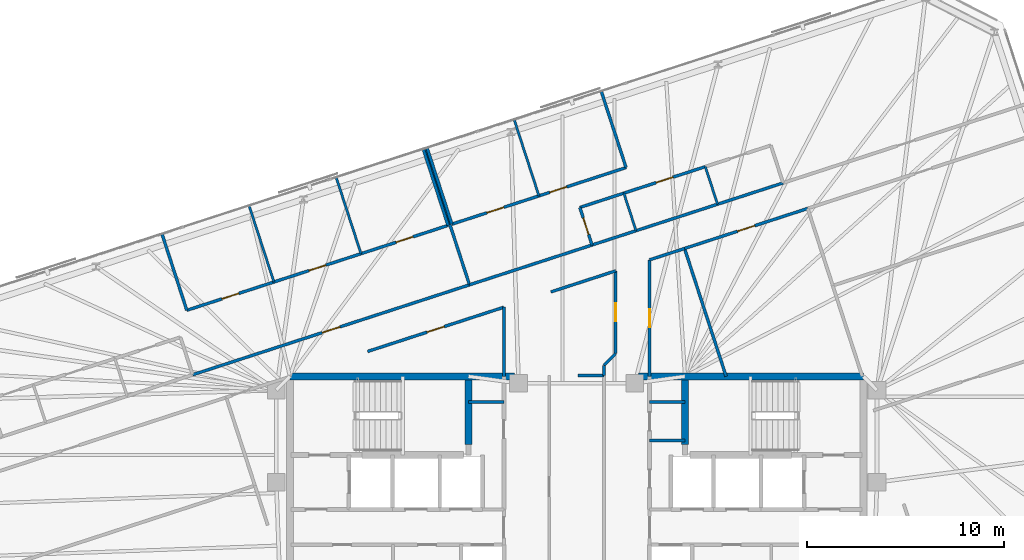
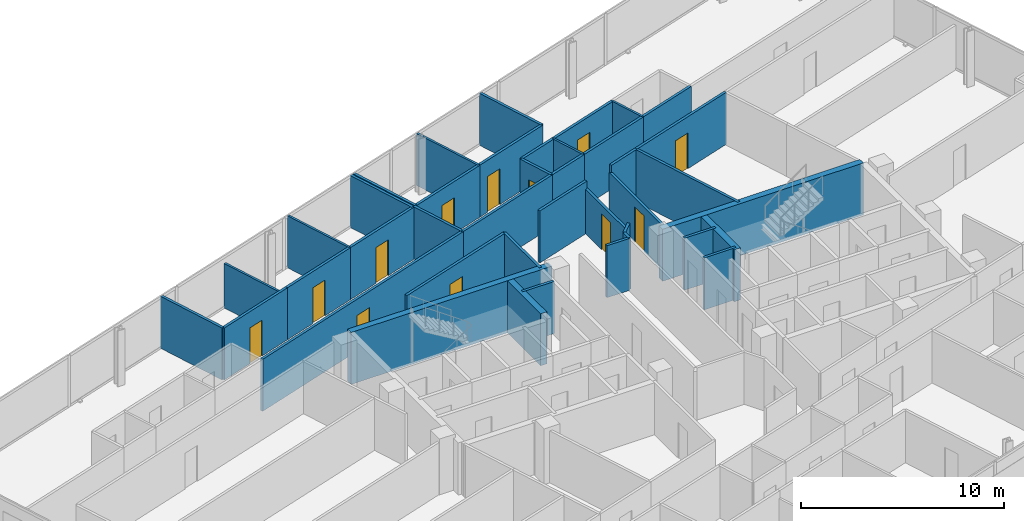
# One storey, part 17 of 20: 41 walls, 12 doors, 12 openings.
"""IFC4 building model written with IfcOpenShell, lengths in metres."""

from ifc_helpers import new_model, si_unit, direction, frame, frame_2d, origin, place, context, subcontext, project, spatial, rectangle, extrude, material, layer, layer_set, type_object, element, fill, save


model = new_model("IFC4")

# Units and contexts
model_context = context("Model", 3, precision=1e-05, world=origin(), true_north=direction((0.0, 1.0)))
body_context = subcontext(model_context, "Body", "Model", "MODEL_VIEW")
ifc_project = project(units=[si_unit("LENGTHUNIT", "METRE"), si_unit("AREAUNIT", "SQUARE_METRE"), si_unit("VOLUMEUNIT", "CUBIC_METRE"), si_unit("PLANEANGLEUNIT", "RADIAN"), si_unit("MASSUNIT", "GRAM", prefix="KILO")], contexts=[model_context])

# Site, building, storey
site_placement = place(None, origin())
site = spatial("IfcSite", under=ifc_project, at=site_placement, CompositionType="ELEMENT")
building_placement = place(site_placement, origin())
building = spatial("IfcBuilding", under=site, at=building_placement, Name="Menara Jurai Vektor", CompositionType="ELEMENT")
storey_placement = place(building_placement, frame((0.0, 0.0, 227.64990234375)))
storey = spatial("IfcBuildingStorey", under=building, at=storey_placement, Name="L60", CompositionType="ELEMENT", Elevation=227.64990234375)

# Walls
ifc_material_1 = material(Name="Gypsum Fireboard Partition", Category="gypsum")
ifc_layer_1 = layer(ifc_material_1, 0.14990234375)
ifc_layer_set_1 = layer_set([ifc_layer_1], Name="Gypsum Fireboard Partition")
wall_type_1 = type_object("IfcWallType", Name="INT-WALL-CORR-150", PredefinedType="PARTITIONING", material=ifc_layer_set_1)
for number, where, z_axis, x_axis, name in (
    (1, (-5.5, 4.300048828125, 0.0), (0.0, 0.0, 1.0), (1.0, 0.0, 0.0), "Interior Wall IW-150 L60"),
    (2, (3.699951171875, 4.300048828125, 0.0), (0.0, 0.0, 1.0), (1.0, 0.0, 0.0), "Interior Wall IW-150 L60"),
    (3, (3.699951171875, 2.35009765625, 0.0), (0.0, 0.0, 1.0), (1.0, 0.0, 0.0), "Interior Wall IW-150 L60"),
):
    element("IfcWall", number, at=place(storey_placement, frame(where, z_axis=z_axis, x_axis=x_axis)), inside=storey, type_object=wall_type_1, Name=name, PredefinedType="PARTITIONING", context=body_context, shape_type="SweptSolid", body=[
        extrude(rectangle(XDim=1.800048828125, YDim=0.14990234375, at=frame_2d((0.89990234375, 0.0))), origin(), (0.0, 0.0, 1.0), 3.125),
    ])

# Wall, opening, door
wall_1_placement = place(storey_placement, frame((-19.4970703125, 5.68017578125, 0.0), z_axis=(0.0, 0.0, 1.0), x_axis=(0.95105300492, 0.309027801067, 0.0)))
wall_1 = element("IfcWall", 4, at=wall_1_placement, inside=storey, type_object=wall_type_1, Name="Interior Wall IW-150 L60", PredefinedType="PARTITIONING", context=body_context, shape_type="SweptSolid", body=[
    extrude(rectangle(XDim=14.779052734375, YDim=0.14990234375, at=frame_2d((7.3896484375, 0.0))), origin(), (0.0, 0.0, 1.0), 3.125),
])
opening_1_placement = place(wall_1_placement, frame((6.91455078125, 0.0, 0.0)))
opening_1 = element("IfcOpeningElement", 5, at=opening_1_placement, cuts=wall_1, Name="Opening D60-09", PredefinedType="OPENING", context=body_context, shape_type="SweptSolid", body=[
    extrude(rectangle(XDim=0.949951171875, YDim=2.14990234375, at=frame_2d((0.47509765625, 1.074951171875))), frame((0.0, 0.0849609375, 0.0), z_axis=(0.0, -1.0, 0.0), x_axis=(1.0, 0.0, 0.0)), (0.0, 0.0, 1.0), 0.169921875),
])
ifc_material_2 = material(Name="Solid Core Timber Fire Door", Category="wood")
door_type_1 = type_object("IfcDoorType", Name="DR-ENTRY-950", OperationType="NOTDEFINED", PredefinedType="DOOR", material=ifc_material_2)
door_1_placement = place(opening_1_placement, origin())
door_1 = element("IfcDoor", 6, at=door_1_placement, inside=storey, type_object=door_type_1, Name="Interior Door D60-09", OperationType="SINGLE_SWING_RIGHT", OverallHeight=2.14990234375, OverallWidth=0.949951171875, PredefinedType="DOOR", context=body_context, shape_type="SweptSolid", body=[
    extrude(rectangle(XDim=0.949951171875, YDim=2.14990234375, at=frame_2d((0.47509765625, 1.074951171875))), frame((0.0, 0.02490234375, 0.0), z_axis=(0.0, -1.0, 0.0), x_axis=(1.0, 0.0, 0.0)), (0.0, 0.0, 1.0), 0.050048828125),
])
fill(opening_1, door_1)

# Walls
wall_2_placement = place(storey_placement, frame((-5.44140625, 10.247314453125, 0.0), z_axis=(0.0, 0.0, 1.0), x_axis=(0.951062860421, 0.308997468483, 0.0)))
element("IfcWall", 7, at=wall_2_placement, inside=storey, type_object=wall_type_1, Name="Interior Wall IW-150 L60", PredefinedType="PARTITIONING", context=body_context, shape_type="SweptSolid", body=[
    extrude(rectangle(XDim=6.5419921875, YDim=0.14990234375, at=frame_2d((3.27099609375, 0.0))), origin(), (0.0, 0.0, 1.0), 3.125),
])
wall_3_placement = place(storey_placement, frame((0.780517578125, 12.268798828125, 0.0), z_axis=(0.0, 0.0, 1.0), x_axis=(0.951066131077, 0.308987401554, 0.0)))
element("IfcWall", 8, at=wall_3_placement, inside=storey, type_object=wall_type_1, Name="Interior Wall IW-150 L60", PredefinedType="PARTITIONING", context=body_context, shape_type="SweptSolid", body=[
    extrude(rectangle(XDim=2.349853515625, YDim=0.14990234375, at=frame_2d((1.1748046875, 0.0))), origin(), (0.0, 0.0, 1.0), 3.125),
])
wall_4_placement = place(storey_placement, frame((3.015380859375, 12.994873046875, 0.0), z_axis=(0.0, 0.0, 1.0), x_axis=(0.951052627573, 0.309028962374, 0.0)))
element("IfcWall", 9, at=wall_4_placement, inside=storey, type_object=wall_type_1, Name="Interior Wall IW-150 L60", PredefinedType="PARTITIONING", context=body_context, shape_type="SweptSolid", body=[
    extrude(rectangle(XDim=4.349853515625, YDim=0.14990234375, at=frame_2d((2.1748046875, 0.0))), origin(), (0.0, 0.0, 1.0), 3.125),
])
wall_5_placement = place(storey_placement, frame((7.15234375, 14.339111328125, 0.0), z_axis=(0.0, 0.0, 1.0), x_axis=(0.951062257173, 0.308999325213, 0.0)))
element("IfcWall", 10, at=wall_5_placement, inside=storey, type_object=wall_type_1, Name="Interior Wall IW-150 L60", PredefinedType="PARTITIONING", context=body_context, shape_type="SweptSolid", body=[
    extrude(rectangle(XDim=3.500244140625, YDim=0.14990234375, at=frame_2d((1.75, 0.0))), origin(), (0.0, 0.0, 1.0), 3.125),
])
wall_6_placement = place(storey_placement, frame((3.699462890625, 11.513916015625, 0.0), z_axis=(0.0, 0.0, 1.0), x_axis=(0.951069540665, 0.308976906612, 0.0)))
element("IfcWall", 11, at=wall_6_placement, inside=storey, type_object=wall_type_1, Name="Interior Wall IW-150 L60", PredefinedType="PARTITIONING", context=body_context, shape_type="SweptSolid", body=[
    extrude(rectangle(XDim=1.87109375, YDim=0.14990234375, at=frame_2d((0.935546875, 0.0))), origin(), (0.0, 0.0, 1.0), 3.125),
])

# Wall, opening, door
wall_7_placement = place(storey_placement, frame((5.47900390625, 12.092041015625, 0.0), z_axis=(0.0, 0.0, 1.0), x_axis=(0.951051809397, 0.309031480343, 0.0)))
wall_7 = element("IfcWall", 12, at=wall_7_placement, inside=storey, type_object=wall_type_1, Name="Interior Wall IW-150 L60", PredefinedType="PARTITIONING", context=body_context, shape_type="SweptSolid", body=[
    extrude(rectangle(XDim=6.572998046875, YDim=0.14990234375, at=frame_2d((3.28662109375, 0.0))), origin(), (0.0, 0.0, 1.0), 3.125),
])
opening_2_placement = place(wall_7_placement, frame((2.826416015625, 0.0, 0.0)))
opening_2 = element("IfcOpeningElement", 13, at=opening_2_placement, cuts=wall_7, Name="Opening D60-53", PredefinedType="OPENING", context=body_context, shape_type="SweptSolid", body=[
    extrude(rectangle(XDim=0.919921875, YDim=2.14990234375, at=frame_2d((0.4599609375, 1.074951171875))), frame((0.0, 0.0849609375, 0.0), z_axis=(0.0, -1.0, 0.0), x_axis=(1.0, 0.0, 0.0)), (0.0, 0.0, 1.0), 0.169921875),
])
door_2_placement = place(opening_2_placement, origin())
door_2 = element("IfcDoor", 14, at=door_2_placement, inside=storey, type_object=door_type_1, Name="Interior Door D60-53", OperationType="SINGLE_SWING_RIGHT", OverallHeight=2.14990234375, OverallWidth=0.919921875, PredefinedType="DOOR", context=body_context, shape_type="SweptSolid", body=[
    extrude(rectangle(XDim=0.919921875, YDim=2.14990234375, at=frame_2d((0.4599609375, 1.074951171875))), frame((0.0, 0.02490234375, 0.0), z_axis=(0.0, -1.0, 0.0), x_axis=(1.0, 0.0, 0.0)), (0.0, 0.0, 1.0), 0.050048828125),
])
fill(opening_2, door_2)

# Walls
wall_8_placement = place(storey_placement, frame((-1.310791015625, 9.885986328125, 0.0), z_axis=(0.0, 0.0, 1.0), x_axis=(0.951068803905, 0.308979174442, 0.0)))
element("IfcWall", 15, at=wall_8_placement, inside=storey, type_object=wall_type_1, Name="Interior Wall IW-150 L60", PredefinedType="PARTITIONING", context=body_context, shape_type="SweptSolid", body=[
    extrude(rectangle(XDim=3.4599609375, YDim=0.14990234375, at=frame_2d((1.72998046875, 0.0))), origin(), (0.0, 0.0, 1.0), 3.125),
])
wall_9_placement = place(storey_placement, frame((1.390625, 5.6494140625, 0.0), z_axis=(0.0, 0.0, 1.0), x_axis=(0.000957395444, 0.999999541697, 0.0)))
element("IfcWall", 16, at=wall_9_placement, inside=storey, type_object=wall_type_1, Name="Interior Wall IW-150 L60", PredefinedType="PARTITIONING", context=body_context, shape_type="SweptSolid", body=[
    extrude(rectangle(XDim=0.510009765625, YDim=0.14990234375, at=frame_2d((0.2548828125, 0.0))), origin(), (0.0, 0.0, 1.0), 3.125),
])
wall_10_placement = place(storey_placement, frame((1.39111328125, 6.159423828125, 0.0), z_axis=(0.0, 0.0, 1.0), x_axis=(0.707106781187, 0.707106781187, 0.0)))
element("IfcWall", 17, at=wall_10_placement, inside=storey, type_object=wall_type_1, Name="Interior Wall IW-150 L60", PredefinedType="PARTITIONING", context=body_context, shape_type="SweptSolid", body=[
    extrude(rectangle(XDim=0.832763671875, YDim=0.14990234375, at=frame_2d((0.41650390625, 0.0))), origin(), (0.0, 0.0, 1.0), 3.125),
])

# Wall, opening, door
wall_11_placement = place(storey_placement, frame((-10.612060546875, 6.86376953125, 0.0), z_axis=(0.0, 0.0, 1.0), x_axis=(0.951060972078, 0.309003280548, 0.0)))
wall_11 = element("IfcWall", 18, at=wall_11_placement, inside=storey, type_object=wall_type_1, Name="Interior Wall IW-150 L60", PredefinedType="PARTITIONING", context=body_context, shape_type="SweptSolid", body=[
    extrude(rectangle(XDim=7.26806640625, YDim=0.14990234375, at=frame_2d((3.634033203125, 0.0))), origin(), (0.0, 0.0, 1.0), 3.125),
])
opening_3_placement = place(wall_11_placement, frame((3.174072265625, 0.0, 0.0)))
opening_3 = element("IfcOpeningElement", 19, at=opening_3_placement, cuts=wall_11, Name="Opening D60-56", PredefinedType="OPENING", context=body_context, shape_type="SweptSolid", body=[
    extrude(rectangle(XDim=0.919921875, YDim=2.14990234375, at=frame_2d((0.4599609375, 1.074951171875))), frame((0.0, 0.0849609375, 0.0), z_axis=(0.0, -1.0, 0.0), x_axis=(1.0, 0.0, 0.0)), (0.0, 0.0, 1.0), 0.169921875),
])
door_3_placement = place(opening_3_placement, origin())
door_3 = element("IfcDoor", 20, at=door_3_placement, inside=storey, type_object=door_type_1, Name="Interior Door D60-56", OperationType="SINGLE_SWING_LEFT", OverallHeight=2.14990234375, OverallWidth=0.919921875, PredefinedType="DOOR", context=body_context, shape_type="SweptSolid", body=[
    extrude(rectangle(XDim=0.919921875, YDim=2.14990234375, at=frame_2d((0.4599609375, 1.074951171875))), frame((0.0, 0.02490234375, 0.0), z_axis=(0.0, -1.0, 0.0), x_axis=(1.0, 0.0, 0.0)), (0.0, 0.0, 1.0), 0.050048828125),
])
fill(opening_3, door_3)

# Walls
wall_12_placement = place(storey_placement, frame((-3.7001953125, 5.599853515625, 0.0), z_axis=(0.0, 0.0, 1.0), x_axis=(0.000139120755, 0.999999990323, 0.0)))
element("IfcWall", 21, at=wall_12_placement, inside=storey, type_object=wall_type_1, Name="Interior Wall IW-150 L60", PredefinedType="PARTITIONING", context=body_context, shape_type="SweptSolid", body=[
    extrude(rectangle(XDim=3.509765625, YDim=0.14990234375, at=frame_2d((1.7548828125, 0.0))), origin(), (0.0, 0.0, 1.0), 3.125),
])
wall_13_placement = place(storey_placement, frame((0.065673828125, 5.64990234375, 0.0), z_axis=(0.0, 0.0, 1.0), x_axis=(0.999999932094, -0.000368527707, 0.0)))
element("IfcWall", 22, at=wall_13_placement, inside=storey, type_object=wall_type_1, Name="Interior Wall IW-150 L60", PredefinedType="PARTITIONING", context=body_context, shape_type="SweptSolid", body=[
    extrude(rectangle(XDim=1.324951171875, YDim=0.14990234375, at=frame_2d((0.66259765625, 0.0))), origin(), (0.0, 0.0, 1.0), 3.125),
])
wall_14_placement = place(storey_placement, frame((-19.794189453125, 8.95361328125, 0.0), z_axis=(0.0, 0.0, 1.0), x_axis=(-0.309018403393, 0.951056058476, 0.0)))
element("IfcWall", 23, at=wall_14_placement, inside=storey, type_object=wall_type_1, Name="Interior Wall IW-150 L60", PredefinedType="PARTITIONING", context=body_context, shape_type="SweptSolid", body=[
    extrude(rectangle(XDim=4.0791015625, YDim=0.14990234375, at=frame_2d((2.03955078125, 0.0))), origin(), (0.0, 0.0, 1.0), 3.125),
])

# Wall, opening, door
wall_15_placement = place(storey_placement, frame((-19.794189453125, 8.95361328125, 0.0), z_axis=(0.0, 0.0, 1.0), x_axis=(0.951065702951, 0.308988719326, 0.0)))
wall_15 = element("IfcWall", 24, at=wall_15_placement, inside=storey, type_object=wall_type_1, Name="Interior Wall IW-150 L60", PredefinedType="PARTITIONING", context=body_context, shape_type="SweptSolid", body=[
    extrude(rectangle(XDim=4.64990234375, YDim=0.14990234375, at=frame_2d((2.324951171875, 0.0))), origin(), (0.0, 0.0, 1.0), 3.125),
])
opening_4_placement = place(wall_15_placement, frame((1.875, 0.0, 0.0)))
opening_4 = element("IfcOpeningElement", 25, at=opening_4_placement, cuts=wall_15, Name="Opening D60-13", PredefinedType="OPENING", context=body_context, shape_type="SweptSolid", body=[
    extrude(rectangle(XDim=0.89990234375, YDim=2.14990234375, at=frame_2d((0.449951171875, 1.074951171875))), frame((0.0, 0.0849609375, 0.0), z_axis=(0.0, -1.0, 0.0), x_axis=(1.0, 0.0, 0.0)), (0.0, 0.0, 1.0), 0.169921875),
])
ifc_material_3 = material(Name="Acoustic Timber Interior Door", Category="wood")
door_type_2 = type_object("IfcDoorType", Name="DR-ROOM-900", OperationType="NOTDEFINED", PredefinedType="DOOR", material=ifc_material_3)
door_4_placement = place(opening_4_placement, origin())
door_4 = element("IfcDoor", 26, at=door_4_placement, inside=storey, type_object=door_type_2, Name="Interior Door D60-13", OperationType="SINGLE_SWING_RIGHT", OverallHeight=2.14990234375, OverallWidth=0.89990234375, PredefinedType="DOOR", context=body_context, shape_type="SweptSolid", body=[
    extrude(rectangle(XDim=0.89990234375, YDim=2.14990234375, at=frame_2d((0.449951171875, 1.074951171875))), frame((0.0, 0.02490234375, 0.0), z_axis=(0.0, -1.0, 0.0), x_axis=(1.0, 0.0, 0.0)), (0.0, 0.0, 1.0), 0.050048828125),
])
fill(opening_4, door_4)

wall_16_placement = place(storey_placement, frame((-15.371826171875, 10.390380859375, 0.0), z_axis=(0.0, 0.0, 1.0), x_axis=(0.951050272606, 0.309036209813, 0.0)))
wall_16 = element("IfcWall", 27, at=wall_16_placement, inside=storey, type_object=wall_type_1, Name="Interior Wall IW-150 L60", PredefinedType="PARTITIONING", context=body_context, shape_type="SweptSolid", body=[
    extrude(rectangle(XDim=4.64990234375, YDim=0.14990234375, at=frame_2d((2.324951171875, 0.0))), origin(), (0.0, 0.0, 1.0), 3.125),
])
opening_5_placement = place(wall_16_placement, frame((1.875, 0.0, 0.0)))
opening_5 = element("IfcOpeningElement", 28, at=opening_5_placement, cuts=wall_16, Name="Opening D60-14", PredefinedType="OPENING", context=body_context, shape_type="SweptSolid", body=[
    extrude(rectangle(XDim=0.89990234375, YDim=2.14990234375, at=frame_2d((0.449951171875, 1.074951171875))), frame((0.0, 0.0849609375, 0.0), z_axis=(0.0, -1.0, 0.0), x_axis=(1.0, 0.0, 0.0)), (0.0, 0.0, 1.0), 0.169921875),
])
door_5_placement = place(opening_5_placement, origin())
door_5 = element("IfcDoor", 29, at=door_5_placement, inside=storey, type_object=door_type_2, Name="Interior Door D60-14", OperationType="SINGLE_SWING_LEFT", OverallHeight=2.14990234375, OverallWidth=0.89990234375, PredefinedType="DOOR", context=body_context, shape_type="SweptSolid", body=[
    extrude(rectangle(XDim=0.89990234375, YDim=2.14990234375, at=frame_2d((0.449951171875, 1.074951171875))), frame((0.0, 0.02490234375, 0.0), z_axis=(0.0, -1.0, 0.0), x_axis=(1.0, 0.0, 0.0)), (0.0, 0.0, 1.0), 0.050048828125),
])
fill(opening_5, door_5)

wall_17_placement = place(storey_placement, frame((-10.949462890625, 11.827392578125, 0.0), z_axis=(0.0, 0.0, 1.0), x_axis=(0.951050272606, 0.309036209813, 0.0)))
wall_17 = element("IfcWall", 30, at=wall_17_placement, inside=storey, type_object=wall_type_1, Name="Interior Wall IW-150 L60", PredefinedType="PARTITIONING", context=body_context, shape_type="SweptSolid", body=[
    extrude(rectangle(XDim=4.64990234375, YDim=0.14990234375, at=frame_2d((2.324951171875, 0.0))), origin(), (0.0, 0.0, 1.0), 3.125),
])
opening_6_placement = place(wall_17_placement, frame((1.875, 0.0, 0.0)))
opening_6 = element("IfcOpeningElement", 31, at=opening_6_placement, cuts=wall_17, Name="Opening D60-15", PredefinedType="OPENING", context=body_context, shape_type="SweptSolid", body=[
    extrude(rectangle(XDim=0.89990234375, YDim=2.14990234375, at=frame_2d((0.449951171875, 1.074951171875))), frame((0.0, 0.0849609375, 0.0), z_axis=(0.0, -1.0, 0.0), x_axis=(1.0, 0.0, 0.0)), (0.0, 0.0, 1.0), 0.169921875),
])
door_6_placement = place(opening_6_placement, origin())
door_6 = element("IfcDoor", 32, at=door_6_placement, inside=storey, type_object=door_type_2, Name="Interior Door D60-15", OperationType="SINGLE_SWING_RIGHT", OverallHeight=2.14990234375, OverallWidth=0.89990234375, PredefinedType="DOOR", context=body_context, shape_type="SweptSolid", body=[
    extrude(rectangle(XDim=0.89990234375, YDim=2.14990234375, at=frame_2d((0.449951171875, 1.074951171875))), frame((0.0, 0.02490234375, 0.0), z_axis=(0.0, -1.0, 0.0), x_axis=(1.0, 0.0, 0.0)), (0.0, 0.0, 1.0), 0.050048828125),
])
fill(opening_6, door_6)

# Walls
wall_18_placement = place(storey_placement, frame((-6.527099609375, 13.264404296875, 0.0), z_axis=(0.0, 0.0, 1.0), x_axis=(-0.308964264858, 0.951073647538, 0.0)))
element("IfcWall", 33, at=wall_18_placement, inside=storey, type_object=wall_type_1, Name="Interior Wall IW-150 L60", PredefinedType="PARTITIONING", context=body_context, shape_type="SweptSolid", body=[
    extrude(rectangle(XDim=4.078857421875, YDim=0.14990234375, at=frame_2d((2.03955078125, 0.0))), origin(), (0.0, 0.0, 1.0), 3.125),
])
wall_19_placement = place(storey_placement, frame((-5.44140625, 10.247314453125, 0.0), z_axis=(0.0, 0.0, 1.0), x_axis=(-0.309039081864, 0.951049339351, 0.0)))
element("IfcWall", 34, at=wall_19_placement, inside=storey, type_object=wall_type_1, Name="Interior Wall IW-150 L60", PredefinedType="PARTITIONING", context=body_context, shape_type="SweptSolid", body=[
    extrude(rectangle(XDim=7.28369140625, YDim=0.14990234375, at=frame_2d((3.641845703125, 0.0))), origin(), (0.0, 0.0, 1.0), 3.125),
])

# Wall, opening, door
wall_20_placement = place(storey_placement, frame((0.780517578125, 12.268798828125, 0.0), z_axis=(0.0, 0.0, 1.0), x_axis=(-0.309058537449, 0.951043017129, 0.0)))
wall_20 = element("IfcWall", 35, at=wall_20_placement, inside=storey, type_object=wall_type_1, Name="Interior Wall IW-150 L60", PredefinedType="PARTITIONING", context=body_context, shape_type="SweptSolid", body=[
    extrude(rectangle(XDim=2.0048828125, YDim=0.14990234375, at=frame_2d((1.00244140625, 0.0))), origin(), (0.0, 0.0, 1.0), 3.125),
])
opening_7_placement = place(wall_20_placement, frame((0.5625, 0.0, 0.0)))
opening_7 = element("IfcOpeningElement", 36, at=opening_7_placement, cuts=wall_20, Name="Opening D60-17", PredefinedType="OPENING", context=body_context, shape_type="SweptSolid", body=[
    extrude(rectangle(XDim=0.8798828125, YDim=2.14990234375, at=frame_2d((0.43994140625, 1.074951171875))), frame((0.0, 0.0849609375, 0.0), z_axis=(0.0, -1.0, 0.0), x_axis=(1.0, 0.0, 0.0)), (0.0, 0.0, 1.0), 0.169921875),
])
ifc_material_4 = material(Name="Moisture-Resistant Timber Door", Category="wood")
door_type_3 = type_object("IfcDoorType", Name="DR-BATH-880", OperationType="NOTDEFINED", PredefinedType="DOOR", material=ifc_material_4)
door_7_placement = place(opening_7_placement, origin())
door_7 = element("IfcDoor", 37, at=door_7_placement, inside=storey, type_object=door_type_3, Name="Interior Door D60-17", OperationType="SINGLE_SWING_RIGHT", OverallHeight=2.14990234375, OverallWidth=0.8798828125, PredefinedType="DOOR", context=body_context, shape_type="SweptSolid", body=[
    extrude(rectangle(XDim=0.8798828125, YDim=2.14990234375, at=frame_2d((0.43994140625, 1.074951171875))), frame((0.0, 0.02490234375, 0.0), z_axis=(0.0, -1.0, 0.0), x_axis=(1.0, 0.0, 0.0)), (0.0, 0.0, 1.0), 0.050048828125),
])
fill(opening_7, door_7)

# Wall
wall_21_placement = place(storey_placement, frame((0.160888671875, 14.175537109375, 0.0), z_axis=(0.0, 0.0, 1.0), x_axis=(0.951035595692, 0.309081373955, 0.0)))
element("IfcWall", 38, at=wall_21_placement, inside=storey, type_object=wall_type_1, Name="Interior Wall IW-150 L60", PredefinedType="PARTITIONING", context=body_context, shape_type="SweptSolid", body=[
    extrude(rectangle(XDim=2.349853515625, YDim=0.14990234375, at=frame_2d((1.1748046875, 0.0))), origin(), (0.0, 0.0, 1.0), 3.125),
])

# Wall, opening, door
wall_22_placement = place(storey_placement, frame((2.395751953125, 14.90185546875, 0.0), z_axis=(0.0, 0.0, 1.0), x_axis=(0.951057987102, 0.309012467661, 0.0)))
wall_22 = element("IfcWall", 39, at=wall_22_placement, inside=storey, type_object=wall_type_1, Name="Interior Wall IW-150 L60", PredefinedType="PARTITIONING", context=body_context, shape_type="SweptSolid", body=[
    extrude(rectangle(XDim=4.35009765625, YDim=0.14990234375, at=frame_2d((2.175048828125, 0.0))), origin(), (0.0, 0.0, 1.0), 3.125),
])
opening_8_placement = place(wall_22_placement, frame((1.72509765625, 0.0, 0.0)))
opening_8 = element("IfcOpeningElement", 40, at=opening_8_placement, cuts=wall_22, Name="Opening D60-18", PredefinedType="OPENING", context=body_context, shape_type="SweptSolid", body=[
    extrude(rectangle(XDim=0.89990234375, YDim=2.14990234375, at=frame_2d((0.449951171875, 1.074951171875))), frame((0.0, 0.0849609375, 0.0), z_axis=(0.0, -1.0, 0.0), x_axis=(1.0, 0.0, 0.0)), (0.0, 0.0, 1.0), 0.169921875),
])
door_8_placement = place(opening_8_placement, origin())
door_8 = element("IfcDoor", 41, at=door_8_placement, inside=storey, type_object=door_type_2, Name="Interior Door D60-18", OperationType="SINGLE_SWING_LEFT", OverallHeight=2.14990234375, OverallWidth=0.89990234375, PredefinedType="DOOR", context=body_context, shape_type="SweptSolid", body=[
    extrude(rectangle(XDim=0.89990234375, YDim=2.14990234375, at=frame_2d((0.449951171875, 1.074951171875))), frame((0.0, 0.02490234375, 0.0), z_axis=(0.0, -1.0, 0.0), x_axis=(1.0, 0.0, 0.0)), (0.0, 0.0, 1.0), 0.050048828125),
])
fill(opening_8, door_8)

# Wall
wall_23_placement = place(storey_placement, frame((-6.336669921875, 13.326171875, 0.0), z_axis=(0.0, 0.0, 1.0), x_axis=(-0.309018403393, 0.951056058476, 0.0)))
element("IfcWall", 42, at=wall_23_placement, inside=storey, type_object=wall_type_1, Name="Interior Wall IW-150 L60", PredefinedType="PARTITIONING", context=body_context, shape_type="SweptSolid", body=[
    extrude(rectangle(XDim=4.0791015625, YDim=0.14990234375, at=frame_2d((2.03955078125, 0.0))), origin(), (0.0, 0.0, 1.0), 3.125),
])

# Wall, opening, door
wall_24_placement = place(storey_placement, frame((-6.336669921875, 13.326171875, 0.0), z_axis=(0.0, 0.0, 1.0), x_axis=(0.951050272606, 0.309036209813, 0.0)))
wall_24 = element("IfcWall", 43, at=wall_24_placement, inside=storey, type_object=wall_type_1, Name="Interior Wall IW-150 L60", PredefinedType="PARTITIONING", context=body_context, shape_type="SweptSolid", body=[
    extrude(rectangle(XDim=4.64990234375, YDim=0.14990234375, at=frame_2d((2.324951171875, 0.0))), origin(), (0.0, 0.0, 1.0), 3.125),
])
opening_9_placement = place(wall_24_placement, frame((1.875, 0.0, 0.0)))
opening_9 = element("IfcOpeningElement", 44, at=opening_9_placement, cuts=wall_24, Name="Opening D60-20", PredefinedType="OPENING", context=body_context, shape_type="SweptSolid", body=[
    extrude(rectangle(XDim=0.89990234375, YDim=2.14990234375, at=frame_2d((0.449951171875, 1.074951171875))), frame((0.0, 0.0849609375, 0.0), z_axis=(0.0, -1.0, 0.0), x_axis=(1.0, 0.0, 0.0)), (0.0, 0.0, 1.0), 0.169921875),
])
door_9_placement = place(opening_9_placement, origin())
door_9 = element("IfcDoor", 45, at=door_9_placement, inside=storey, type_object=door_type_2, Name="Interior Door D60-20", OperationType="SINGLE_SWING_LEFT", OverallHeight=2.14990234375, OverallWidth=0.89990234375, PredefinedType="DOOR", context=body_context, shape_type="SweptSolid", body=[
    extrude(rectangle(XDim=0.89990234375, YDim=2.14990234375, at=frame_2d((0.449951171875, 1.074951171875))), frame((0.0, 0.02490234375, 0.0), z_axis=(0.0, -1.0, 0.0), x_axis=(1.0, 0.0, 0.0)), (0.0, 0.0, 1.0), 0.050048828125),
])
fill(opening_9, door_9)

wall_25_placement = place(storey_placement, frame((-1.914306640625, 14.76318359375, 0.0), z_axis=(0.0, 0.0, 1.0), x_axis=(0.951065702951, 0.308988719326, 0.0)))
wall_25 = element("IfcWall", 46, at=wall_25_placement, inside=storey, type_object=wall_type_1, Name="Interior Wall IW-150 L60", PredefinedType="PARTITIONING", context=body_context, shape_type="SweptSolid", body=[
    extrude(rectangle(XDim=4.64990234375, YDim=0.14990234375, at=frame_2d((2.324951171875, 0.0))), origin(), (0.0, 0.0, 1.0), 3.125),
])
opening_10_placement = place(wall_25_placement, frame((0.572998046875, 0.0, 0.0)))
opening_10 = element("IfcOpeningElement", 47, at=opening_10_placement, cuts=wall_25, Name="Opening D60-21", PredefinedType="OPENING", context=body_context, shape_type="SweptSolid", body=[
    extrude(rectangle(XDim=0.89990234375, YDim=2.14990234375, at=frame_2d((0.449951171875, 1.074951171875))), frame((0.0, 0.0849609375, 0.0), z_axis=(0.0, -1.0, 0.0), x_axis=(1.0, 0.0, 0.0)), (0.0, 0.0, 1.0), 0.169921875),
])
door_10_placement = place(opening_10_placement, origin())
door_10 = element("IfcDoor", 48, at=door_10_placement, inside=storey, type_object=door_type_2, Name="Interior Door D60-21", OperationType="SINGLE_SWING_RIGHT", OverallHeight=2.14990234375, OverallWidth=0.89990234375, PredefinedType="DOOR", context=body_context, shape_type="SweptSolid", body=[
    extrude(rectangle(XDim=0.89990234375, YDim=2.14990234375, at=frame_2d((0.449951171875, 1.074951171875))), frame((0.0, 0.02490234375, 0.0), z_axis=(0.0, -1.0, 0.0), x_axis=(1.0, 0.0, 0.0)), (0.0, 0.0, 1.0), 0.050048828125),
])
fill(opening_10, door_10)

# Walls
wall_26_placement = place(storey_placement, frame((2.508056640625, 16.199951171875, 0.0), z_axis=(0.0, 0.0, 1.0), x_axis=(-0.309018403393, 0.951056058476, 0.0)))
element("IfcWall", 49, at=wall_26_placement, inside=storey, type_object=wall_type_1, Name="Interior Wall IW-150 L60", PredefinedType="PARTITIONING", context=body_context, shape_type="SweptSolid", body=[
    extrude(rectangle(XDim=4.0791015625, YDim=0.14990234375, at=frame_2d((2.03955078125, 0.0))), origin(), (0.0, 0.0, 1.0), 3.125),
])
wall_27_placement = place(storey_placement, frame((7.58837890625, 5.60009765625, 0.0), z_axis=(0.0, 0.0, 1.0), x_axis=(-0.309018946982, 0.951055881852, 0.0)))
element("IfcWall", 50, at=wall_27_placement, inside=storey, type_object=wall_type_1, Name="Interior Wall IW-150 L60", PredefinedType="PARTITIONING", context=body_context, shape_type="SweptSolid", body=[
    extrude(rectangle(XDim=6.825927734375, YDim=0.14990234375, at=frame_2d((3.4130859375, 0.0))), origin(), (0.0, 0.0, 1.0), 3.125),
])

# Wall, opening, door
ifc_layer_2 = layer(ifc_material_1, 0.14990234375)
ifc_layer_set_2 = layer_set([ifc_layer_2], Name="Gypsum Fireboard Partition")
wall_type_2 = type_object("IfcWallType", Name="INT-WALL-CORR-150-H1", PredefinedType="PARTITIONING", material=ifc_layer_set_2)
wall_28_placement = place(storey_placement, frame((3.7001953125, 5.599609375, 0.0), z_axis=(0.0, 0.0, 1.0), x_axis=(-0.000123839008, 0.999999992332, 0.0)))
wall_28 = element("IfcWall", 51, at=wall_28_placement, inside=storey, type_object=wall_type_2, Name="Interior Wall IW-150 L60", PredefinedType="PARTITIONING", context=body_context, shape_type="SweptSolid", body=[
    extrude(rectangle(XDim=5.914306640625, YDim=0.14990234375, at=frame_2d((2.95703125, 0.0))), origin(), (0.0, 0.0, 1.0), 2.675048828125),
])
opening_11_placement = place(wall_28_placement, frame((2.497314453125, 0.0, 0.0)))
opening_11 = element("IfcOpeningElement", 52, at=opening_11_placement, cuts=wall_28, Name="Opening D60-52", PredefinedType="OPENING", context=body_context, shape_type="SweptSolid", body=[
    extrude(rectangle(XDim=0.919921875, YDim=2.14990234375, at=frame_2d((0.4599609375, 1.074951171875))), frame((0.0, 0.0849609375, 0.0), z_axis=(0.0, -1.0, 0.0), x_axis=(1.0, 0.0, 0.0)), (0.0, 0.0, 1.0), 0.169921875),
])
door_11_placement = place(opening_11_placement, origin())
door_11 = element("IfcDoor", 53, at=door_11_placement, inside=storey, type_object=door_type_1, Name="Interior Door D60-52", OperationType="SINGLE_SWING_LEFT", OverallHeight=2.14990234375, OverallWidth=0.919921875, PredefinedType="DOOR", context=body_context, shape_type="SweptSolid", body=[
    extrude(rectangle(XDim=0.919921875, YDim=2.14990234375, at=frame_2d((0.4599609375, 1.074951171875))), frame((0.0, 0.02490234375, 0.0), z_axis=(0.0, -1.0, 0.0), x_axis=(1.0, 0.0, 0.0)), (0.0, 0.0, 1.0), 0.050048828125),
])
fill(opening_11, door_11)

wall_29_placement = place(storey_placement, frame((1.97998046875, 6.748291015625, 0.0), z_axis=(0.0, 0.0, 1.0), x_axis=(0.0, 1.0, 0.0)))
wall_29 = element("IfcWall", 54, at=wall_29_placement, inside=storey, type_object=wall_type_2, Name="Interior Wall IW-150 L60", PredefinedType="PARTITIONING", context=body_context, shape_type="SweptSolid", body=[
    extrude(rectangle(XDim=4.206787109375, YDim=0.14990234375, at=frame_2d((2.103515625, 0.0))), origin(), (0.0, 0.0, 1.0), 2.675048828125),
])
opening_12_placement = place(wall_29_placement, frame((1.643310546875, 0.0, 0.0)))
opening_12 = element("IfcOpeningElement", 55, at=opening_12_placement, cuts=wall_29, Name="Opening D60-55", PredefinedType="OPENING", context=body_context, shape_type="SweptSolid", body=[
    extrude(rectangle(XDim=0.919921875, YDim=2.14990234375, at=frame_2d((0.4599609375, 1.074951171875))), frame((0.0, 0.0849609375, 0.0), z_axis=(0.0, -1.0, 0.0), x_axis=(1.0, 0.0, 0.0)), (0.0, 0.0, 1.0), 0.169921875),
])
door_12_placement = place(opening_12_placement, origin())
door_12 = element("IfcDoor", 56, at=door_12_placement, inside=storey, type_object=door_type_1, Name="Interior Door D60-55", OperationType="SINGLE_SWING_RIGHT", OverallHeight=2.14990234375, OverallWidth=0.919921875, PredefinedType="DOOR", context=body_context, shape_type="SweptSolid", body=[
    extrude(rectangle(XDim=0.919921875, YDim=2.14990234375, at=frame_2d((0.4599609375, 1.074951171875))), frame((0.0, 0.02490234375, 0.0), z_axis=(0.0, -1.0, 0.0), x_axis=(1.0, 0.0, 0.0)), (0.0, 0.0, 1.0), 0.050048828125),
])
fill(opening_12, door_12)

# Walls
ifc_material_5 = material(Name="Gypsum Acoustic Stud Partition", Category="gypsum")
ifc_layer_3 = layer(ifc_material_5, 0.1201171875)
ifc_layer_set_3 = layer_set([ifc_layer_3], Name="Gypsum Acoustic Stud Partition")
wall_type_3 = type_object("IfcWallType", Name="INT-WALL-PART-120", PredefinedType="PARTITIONING", material=ifc_layer_set_3)
wall_30_placement = place(storey_placement, frame((-10.949462890625, 11.827392578125, 0.0), z_axis=(0.0, 0.0, 1.0), x_axis=(-0.308964264858, 0.951073647538, 0.0)))
element("IfcWall", 57, at=wall_30_placement, inside=storey, type_object=wall_type_3, Name="Interior Wall IW-120 L60", PredefinedType="PARTITIONING", context=body_context, shape_type="SweptSolid", body=[
    extrude(rectangle(XDim=4.078857421875, YDim=0.1201171875, at=frame_2d((2.03955078125, 0.0))), origin(), (0.0, 0.0, 1.0), 3.125),
])
for number, where, z_axis, x_axis, name in (
    (58, (3.015380859375, 12.994873046875, 0.0), (0.0, 0.0, 1.0), (-0.309022749039, 0.951054646472, 0.0), "Interior Wall IW-120 L60"),
    (59, (7.15234375, 14.339111328125, 0.0), (0.0, 0.0, 1.0), (-0.308912611775, 0.951090425925, 0.0), "Interior Wall IW-120 L60"),
):
    element("IfcWall", number, at=place(storey_placement, frame(where, z_axis=z_axis, x_axis=x_axis)), inside=storey, type_object=wall_type_3, Name=name, PredefinedType="PARTITIONING", context=body_context, shape_type="SweptSolid", body=[
        extrude(rectangle(XDim=2.005126953125, YDim=0.1201171875, at=frame_2d((1.00244140625, 0.0))), origin(), (0.0, 0.0, 1.0), 3.125),
    ])
wall_31_placement = place(storey_placement, frame((-1.914306640625, 14.76318359375, 0.0), z_axis=(0.0, 0.0, 1.0), x_axis=(-0.309018403393, 0.951056058476, 0.0)))
element("IfcWall", 60, at=wall_31_placement, inside=storey, type_object=wall_type_3, Name="Interior Wall IW-120 L60", PredefinedType="PARTITIONING", context=body_context, shape_type="SweptSolid", body=[
    extrude(rectangle(XDim=4.0791015625, YDim=0.1201171875, at=frame_2d((2.03955078125, 0.0))), origin(), (0.0, 0.0, 1.0), 3.125),
])
ifc_layer_4 = layer(ifc_material_5, 0.1201171875)
ifc_layer_set_4 = layer_set([ifc_layer_4], Name="Gypsum Acoustic Stud Partition")
wall_type_4 = type_object("IfcWallType", Name="INT-WALL-PART-120-H1", PredefinedType="PARTITIONING", material=ifc_layer_set_4)
wall_32_placement = place(storey_placement, frame((-15.371826171875, 10.390380859375, 0.0), z_axis=(0.0, 0.0, 1.0), x_axis=(-0.309000814064, 0.951061773445, 0.0)))
element("IfcWall", 61, at=wall_32_placement, inside=storey, type_object=wall_type_4, Name="Interior Wall IW-120 L60", PredefinedType="PARTITIONING", context=body_context, shape_type="SweptSolid", body=[
    extrude(rectangle(XDim=4.079345703125, YDim=0.1201171875, at=frame_2d((2.03955078125, 0.0))), origin(), (0.0, 0.0, 1.0), 2.675048828125),
])
ifc_material_6 = material(Name="Concrete C50/60", Category="concrete")
ifc_layer_5 = layer(ifc_material_6, 0.35009765625)
ifc_layer_set_5 = layer_set([ifc_layer_5], Name="Concrete C50/60")
wall_type_5 = type_object("IfcWallType", Name="STR-WALL-CORE350", PredefinedType="SHEAR", material=ifc_layer_set_5)
wall_33_placement = place(storey_placement, frame((-14.56005859375, 5.60009765625, 0.0), z_axis=(0.0, 0.0, 1.0), x_axis=(1.0, 0.0, 0.0)))
element("IfcWall", 62, at=wall_33_placement, inside=storey, type_object=wall_type_5, Name="Core Shear Wall CW-W-N L60", PredefinedType="SHEAR", context=body_context, shape_type="SweptSolid", body=[
    extrude(rectangle(XDim=11.41015625, YDim=0.35009765625, at=frame_2d((5.705078125, 0.0))), origin(), (0.0, 0.0, 1.0), 3.125),
])
wall_34_placement = place(storey_placement, frame((-5.5, 2.14990234375, 0.0), z_axis=(0.0, 0.0, 1.0), x_axis=(0.0, 1.0, 0.0)))
element("IfcWall", 63, at=wall_34_placement, inside=storey, type_object=wall_type_5, Name="Core Shear Wall CW-W-ST L60", PredefinedType="SHEAR", context=body_context, shape_type="SweptSolid", body=[
    extrude(rectangle(XDim=3.275146484375, YDim=0.35009765625, at=frame_2d((1.6376953125, 0.0))), origin(), (0.0, 0.0, 1.0), 3.125),
])
wall_35_placement = place(storey_placement, frame((3.14990234375, 5.60009765625, 0.0), z_axis=(0.0, 0.0, 1.0), x_axis=(1.0, 0.0, 0.0)))
element("IfcWall", 64, at=wall_35_placement, inside=storey, type_object=wall_type_5, Name="Core Shear Wall CW-E-N L60", PredefinedType="SHEAR", context=body_context, shape_type="SweptSolid", body=[
    extrude(rectangle(XDim=11.41015625, YDim=0.35009765625, at=frame_2d((5.705078125, 0.0))), origin(), (0.0, 0.0, 1.0), 3.125),
])
wall_36_placement = place(storey_placement, frame((5.5, 2.14990234375, 0.0), z_axis=(0.0, 0.0, 1.0), x_axis=(0.0, 1.0, 0.0)))
element("IfcWall", 65, at=wall_36_placement, inside=storey, type_object=wall_type_5, Name="Core Shear Wall CW-E-ST L60", PredefinedType="SHEAR", context=body_context, shape_type="SweptSolid", body=[
    extrude(rectangle(XDim=3.275146484375, YDim=0.35009765625, at=frame_2d((1.6376953125, 0.0))), origin(), (0.0, 0.0, 1.0), 3.125),
])

save(model, "model.ifc")
